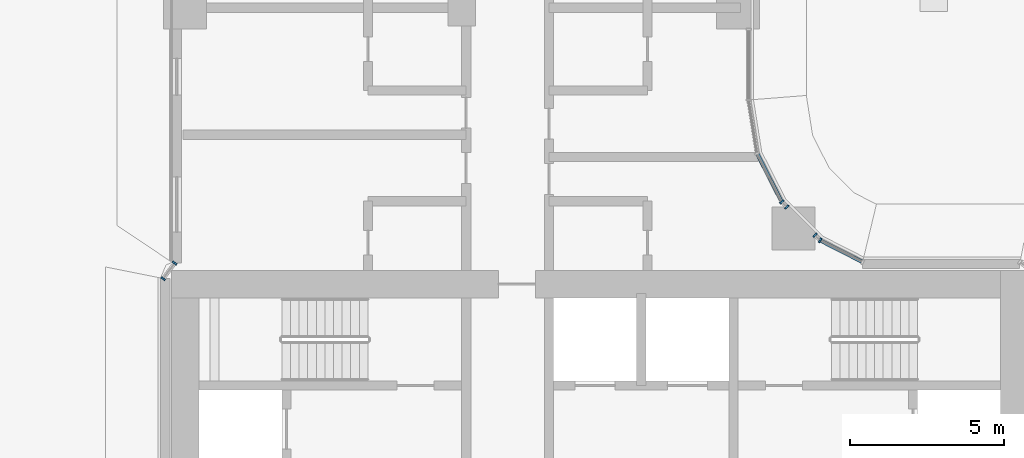
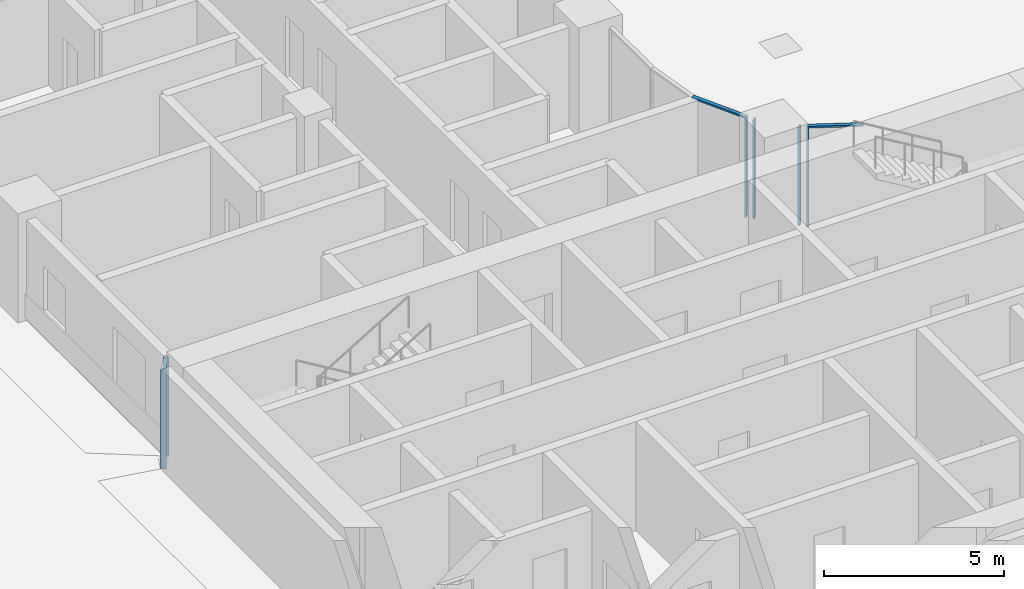
# One storey, part 2 of 51: 8 members, 3 elements without a shape of their own.
"""IFC4 building model written with IfcOpenShell, lengths in metres."""

from ifc_helpers import new_model, si_unit, direction, frame, origin, origin_2d, place, context, subcontext, project, spatial, rectangle, extrude, material, material_profile, profile_set, type_object, element, aggregate, save


model = new_model("IFC4")

# Units and contexts
model_context = context("Model", 3, precision=1e-05, world=origin(), true_north=direction((0.0, 1.0)))
body_context = subcontext(model_context, "Body", "Model", "MODEL_VIEW")
ifc_project = project(units=[si_unit("LENGTHUNIT", "METRE"), si_unit("AREAUNIT", "SQUARE_METRE"), si_unit("VOLUMEUNIT", "CUBIC_METRE"), si_unit("PLANEANGLEUNIT", "RADIAN"), si_unit("MASSUNIT", "GRAM", prefix="KILO")], contexts=[model_context])

# Site, building, storey
site_placement = place(None, origin())
site = spatial("IfcSite", under=ifc_project, at=site_placement, CompositionType="ELEMENT")
building_placement = place(site_placement, origin())
building = spatial("IfcBuilding", under=site, at=building_placement, Name="Ogive Portal Towers", CompositionType="ELEMENT")
storey_placement = place(building_placement, frame((0.0, 0.0, 33.5)))
storey = spatial("IfcBuildingStorey", under=building, at=storey_placement, Name="L06", CompositionType="ELEMENT", Elevation=33.5)

# Curtain wall, members
ifc_material_1 = material(Name="Glass, clear low-iron insulated glazing", Category="glass")
curtain_wall_type = type_object("IfcCurtainWallType", Name="CW FRONT RIBBON 4500", PredefinedType="NOTDEFINED", material=ifc_material_1)
curtain_wall_1_placement = place(storey_placement, origin())
curtain_wall_1 = element("IfcCurtainWall", 1, at=curtain_wall_1_placement, inside=storey, type_object=curtain_wall_type, Name="A:L06:f02:cwa~0", PredefinedType="NOTDEFINED")
ifc_material_2 = material(Name="Aluminium 6063 anodised", Category="aluminium")
ifc_material_profile_1 = material_profile(ifc_material_2, rectangle(XDim=0.159912109375, YDim=0.06005859375, at=origin_2d()), Name="AL 60x160")
ifc_profile_set_1 = profile_set([ifc_material_profile_1], Name="Aluminium 6063 anodised")
member_type_1 = type_object("IfcMemberType", Name="CW MULLION 60x160", PredefinedType="MULLION", material=ifc_profile_set_1)
member_1_placement = place(storey_placement, frame((52.175537109375, 40.92431640625, 0.0), z_axis=(0.0, 0.0, 1.0), x_axis=(-0.45399049974, -0.891006524188, 0.0)))
member_1 = element("IfcMember", 2, at=member_1_placement, type_object=member_type_1, Name="mullion", PredefinedType="MULLION", context=body_context, shape_type="SweptSolid", body=[
    extrude(rectangle(XDim=0.159912109375, YDim=0.06005859375, at=origin_2d()), origin(), (0.0, 0.0, 1.0), 3.340087890625),
])
member_2_placement = place(storey_placement, frame((52.010009765625, 41.089599609375, 0.0), z_axis=(0.0, 0.0, 1.0), x_axis=(-0.707106781187, -0.707106781187, 0.0)))
member_2 = element("IfcMember", 3, at=member_2_placement, type_object=member_type_1, Name="mullion", PredefinedType="MULLION", context=body_context, shape_type="SweptSolid", body=[
    extrude(rectangle(XDim=0.159912109375, YDim=0.06005859375, at=origin_2d()), origin(), (0.0, 0.0, 1.0), 3.340087890625),
])

curtain_wall_2_placement = place(storey_placement, origin())
curtain_wall_2 = element("IfcCurtainWall", 4, at=curtain_wall_2_placement, inside=storey, type_object=curtain_wall_type, Name="A:L06:f02:cwa~1", PredefinedType="NOTDEFINED")
member_3_placement = place(storey_placement, frame((51.089599609375, 42.010009765625, 0.0), z_axis=(0.0, 0.0, 1.0), x_axis=(-0.707106781187, -0.707106781187, 0.0)))
member_3 = element("IfcMember", 5, at=member_3_placement, type_object=member_type_1, Name="mullion", PredefinedType="MULLION", context=body_context, shape_type="SweptSolid", body=[
    extrude(rectangle(XDim=0.159912109375, YDim=0.06005859375, at=origin_2d()), origin(), (0.0, 0.0, 1.0), 3.340087890625),
])
member_4_placement = place(storey_placement, frame((50.92431640625, 42.175537109375, 0.0), z_axis=(0.0, 0.0, 1.0), x_axis=(-0.707106781187, -0.707106781187, 0.0)))
member_4 = element("IfcMember", 6, at=member_4_placement, type_object=member_type_1, Name="mullion", PredefinedType="MULLION", context=body_context, shape_type="SweptSolid", body=[
    extrude(rectangle(XDim=0.159912109375, YDim=0.06005859375, at=origin_2d()), origin(), (0.0, 0.0, 1.0), 3.340087890625),
])

curtain_wall_3_placement = place(storey_placement, origin())
curtain_wall_3 = element("IfcCurtainWall", 7, at=curtain_wall_3_placement, inside=storey, type_object=curtain_wall_type, Name="A:L06:f14:cwa", PredefinedType="NOTDEFINED")
member_5_placement = place(storey_placement, frame((31.155029296875, 40.180419921875, 0.0), z_axis=(0.0, 0.0, 1.0), x_axis=(0.803867261991, -0.594808729844, 0.0)))
member_5 = element("IfcMember", 8, at=member_5_placement, type_object=member_type_1, Name="mullion", PredefinedType="MULLION", context=body_context, shape_type="SweptSolid", body=[
    extrude(rectangle(XDim=0.159912109375, YDim=0.06005859375, at=origin_2d()), origin(), (0.0, 0.0, 1.0), 3.340087890625),
])
member_6_placement = place(storey_placement, frame((30.780029296875, 39.673583984375, 0.0), z_axis=(0.0, 0.0, 1.0), x_axis=(0.803867261991, -0.594808729844, 0.0)))
member_6 = element("IfcMember", 9, at=member_6_placement, type_object=member_type_1, Name="mullion", PredefinedType="MULLION", context=body_context, shape_type="SweptSolid", body=[
    extrude(rectangle(XDim=0.159912109375, YDim=0.06005859375, at=origin_2d()), origin(), (0.0, 0.0, 1.0), 3.340087890625),
])
aggregate(curtain_wall_3, [member_5, member_6])

# Member
ifc_material_profile_2 = material_profile(ifc_material_2, rectangle(XDim=0.1201171875, YDim=0.06005859375, at=origin_2d()), Name="AL 120x60")
ifc_profile_set_2 = profile_set([ifc_material_profile_2], Name="Aluminium 6063 anodised")
member_type_2 = type_object("IfcMemberType", Name="CW TRANSOM 60x120", PredefinedType="USERDEFINED", material=ifc_profile_set_2)
member_7_placement = place(storey_placement, frame((53.5576171875, 40.219970703125, 3.3701171875), z_axis=(-0.89096982311, 0.454062522465, 0.0), x_axis=(-0.454062522465, -0.89096982311, 0.0)))
member_7 = element("IfcMember", 10, at=member_7_placement, type_object=member_type_2, Name="transom", ObjectType="TRANSOM", PredefinedType="USERDEFINED", context=body_context, shape_type="SweptSolid", body=[
    extrude(rectangle(XDim=0.1201171875, YDim=0.06005859375, at=origin_2d()), origin(), (0.0, 0.0, 1.0), 1.55126953125),
])

aggregate(curtain_wall_1, [member_7, member_1, member_2])

member_8_placement = place(storey_placement, frame((50.92431640625, 42.175537109375, 3.3701171875), z_axis=(-0.454043582135, 0.890979475365, 0.0), x_axis=(-0.890979475365, -0.454043582135, 0.0)))
member_8 = element("IfcMember", 11, at=member_8_placement, type_object=member_type_2, Name="transom", ObjectType="TRANSOM", PredefinedType="USERDEFINED", context=body_context, shape_type="SweptSolid", body=[
    extrude(rectangle(XDim=0.1201171875, YDim=0.06005859375, at=origin_2d()), origin(), (0.0, 0.0, 1.0), 1.76953125),
])

aggregate(curtain_wall_2, [member_8, member_3, member_4])

save(model, "model.ifc")
